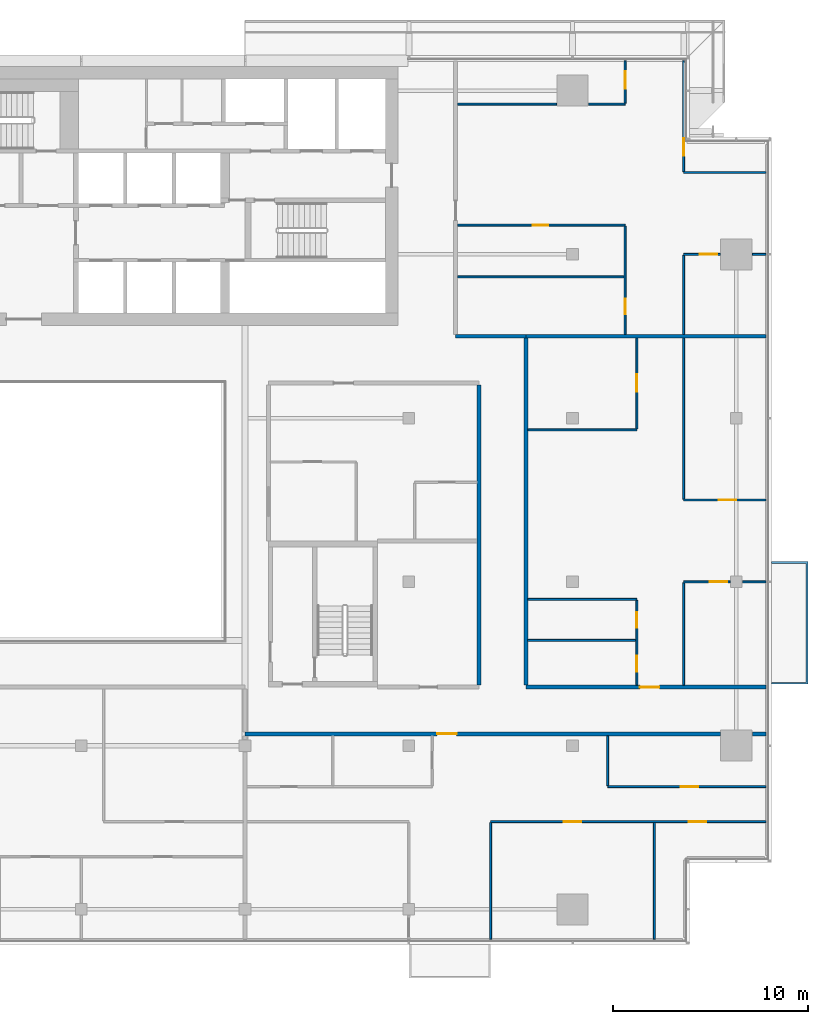
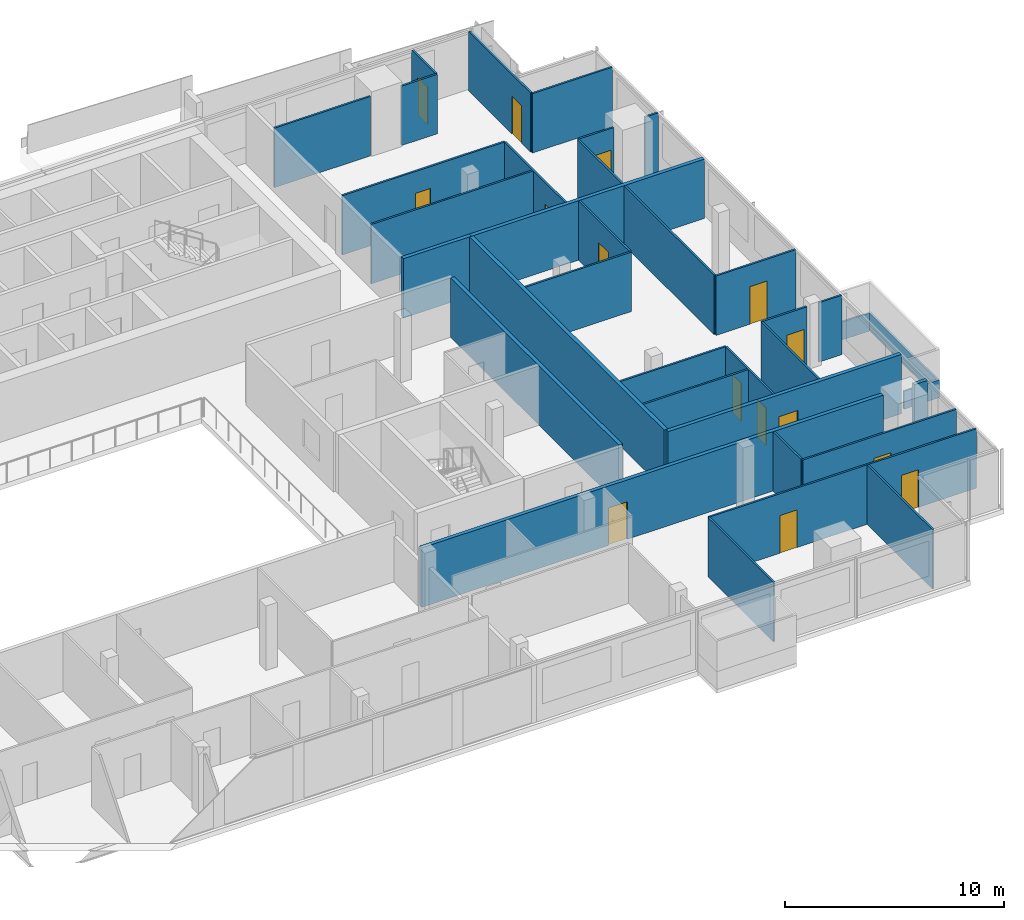
# One storey, part 23 of 29: 34 walls, 15 doors, 15 openings.
"""IFC4 building model written with IfcOpenShell, lengths in metres."""

from ifc_helpers import new_model, si_unit, direction, frame, frame_2d, origin, place, context, subcontext, project, spatial, polyline, rectangle, outline, extrude, material, layer, layer_set, type_object, element, fill, save


model = new_model("IFC4")

# Units and contexts
model_context = context("Model", 3, precision=1e-05, world=origin(), true_north=direction((0.0, 1.0)))
body_context = subcontext(model_context, "Body", "Model", "MODEL_VIEW")
ifc_project = project(units=[si_unit("LENGTHUNIT", "METRE"), si_unit("AREAUNIT", "SQUARE_METRE"), si_unit("VOLUMEUNIT", "CUBIC_METRE"), si_unit("PLANEANGLEUNIT", "RADIAN"), si_unit("MASSUNIT", "GRAM", prefix="KILO")], contexts=[model_context])

# Site, building, storey
site_placement = place(None, origin())
site = spatial("IfcSite", under=ifc_project, at=site_placement, CompositionType="ELEMENT")
building_placement = place(site_placement, origin())
building = spatial("IfcBuilding", under=site, at=building_placement, Name="Saffron Gate Tower", CompositionType="ELEMENT")
storey_placement = place(building_placement, frame((0.0, 0.0, 227.10009765625)))
storey = spatial("IfcBuildingStorey", under=building, at=storey_placement, Name="L55", CompositionType="ELEMENT", Elevation=227.10009765625)

# Wall, openings, doors
ifc_material_1 = material(Name="Plasterboard on steel studs", Category="steel")
ifc_layer_1 = layer(ifc_material_1, 0.10009765625)
ifc_layer_set_1 = layer_set([ifc_layer_1], Name="PW1 Partition 100")
wall_type_1 = type_object("IfcWallType", Name="PW1 Partition 100", PredefinedType="PARTITIONING", material=ifc_layer_set_1)
wall_1_placement = place(storey_placement, frame((126.919921875, 36.300048828125, 0.0), z_axis=(0.0, 0.0, 1.0), x_axis=(-1.0, 0.0, 0.0)))
wall_1 = element("IfcWall", 1, at=wall_1_placement, inside=storey, type_object=wall_type_1, Name="Partition D3-5", PredefinedType="PARTITIONING", context=body_context, shape_type="SweptSolid", body=[
    extrude(rectangle(XDim=14.119873046875, YDim=0.10009765625, at=frame_2d((7.06005859375, 0.0))), origin(), (0.0, 0.0, 1.0), 3.31982421875),
])
opening_1_placement = place(wall_1_placement, frame((3.0576171875, 0.0, 0.0)))
opening_1 = element("IfcOpeningElement", 2, at=opening_1_placement, cuts=wall_1, Name="Opening D3-23", PredefinedType="OPENING", context=body_context, shape_type="SweptSolid", body=[
    extrude(rectangle(XDim=0.89990234375, YDim=2.10009765625, at=frame_2d((0.449951171875, 1.050048828125))), frame((0.0, 0.06005859375, 0.0), z_axis=(0.0, -1.0, 0.0), x_axis=(1.0, 0.0, 0.0)), (0.0, 0.0, 1.0), 0.1201171875),
])
opening_2_placement = place(wall_1_placement, frame((9.469970703125, 0.0, 0.0)))
opening_2 = element("IfcOpeningElement", 3, at=opening_2_placement, cuts=wall_1, Name="Opening D3-22", PredefinedType="OPENING", context=body_context, shape_type="SweptSolid", body=[
    extrude(rectangle(XDim=0.89990234375, YDim=2.10009765625, at=frame_2d((0.449951171875, 1.050048828125))), frame((0.0, 0.06005859375, 0.0), z_axis=(0.0, -1.0, 0.0), x_axis=(1.0, 0.0, 0.0)), (0.0, 0.0, 1.0), 0.1201171875),
])
ifc_material_2 = material(Name="Timber door set", Category="wood")
door_type_1 = type_object("IfcDoorType", Name="RD1 Room door 900x2100", OperationType="NOTDEFINED", PredefinedType="DOOR", material=ifc_material_2)
door_1_placement = place(opening_1_placement, origin())
door_1 = element("IfcDoor", 4, at=door_1_placement, inside=storey, type_object=door_type_1, Name="Door D3-23", OperationType="SINGLE_SWING_RIGHT", OverallHeight=2.10009765625, OverallWidth=0.89990234375, PredefinedType="DOOR", context=body_context, shape_type="SweptSolid", body=[
    extrude(rectangle(XDim=0.89990234375, YDim=2.10009765625, at=frame_2d((0.449951171875, 1.050048828125))), frame((0.0, 0.02490234375, 0.0), z_axis=(0.0, -1.0, 0.0), x_axis=(1.0, 0.0, 0.0)), (0.0, 0.0, 1.0), 0.050048828125),
])
fill(opening_1, door_1)
door_2_placement = place(opening_2_placement, origin())
door_2 = element("IfcDoor", 5, at=door_2_placement, inside=storey, type_object=door_type_1, Name="Door D3-22", OperationType="SINGLE_SWING_RIGHT", OverallHeight=2.10009765625, OverallWidth=0.89990234375, PredefinedType="DOOR", context=body_context, shape_type="SweptSolid", body=[
    extrude(rectangle(XDim=0.89990234375, YDim=2.10009765625, at=frame_2d((0.449951171875, 1.050048828125))), frame((0.0, 0.02490234375, 0.0), z_axis=(0.0, -1.0, 0.0), x_axis=(1.0, 0.0, 0.0)), (0.0, 0.0, 1.0), 0.050048828125),
])
fill(opening_2, door_2)

# Wall, opening, door
wall_2_placement = place(storey_placement, frame((118.800048828125, 38.10009765625, 0.0), z_axis=(0.0, 0.0, 1.0), x_axis=(1.0, 0.0, 0.0)))
wall_2 = element("IfcWall", 6, at=wall_2_placement, inside=storey, type_object=wall_type_1, Name="Partition D3-7", PredefinedType="PARTITIONING", context=body_context, shape_type="SweptSolid", body=[
    extrude(rectangle(XDim=8.119873046875, YDim=0.10009765625, at=frame_2d((4.06005859375, 0.0))), origin(), (0.0, 0.0, 1.0), 3.31982421875),
])
opening_3_placement = place(wall_2_placement, frame((3.75, 0.0, 0.0)))
opening_3 = element("IfcOpeningElement", 7, at=opening_3_placement, cuts=wall_2, Name="Opening D3-24", PredefinedType="OPENING", context=body_context, shape_type="SweptSolid", body=[
    extrude(rectangle(XDim=0.89990234375, YDim=2.10009765625, at=frame_2d((0.449951171875, 1.050048828125))), frame((0.0, 0.06005859375, 0.0), z_axis=(0.0, -1.0, 0.0), x_axis=(1.0, 0.0, 0.0)), (0.0, 0.0, 1.0), 0.1201171875),
])
door_3_placement = place(opening_3_placement, origin())
door_3 = element("IfcDoor", 8, at=door_3_placement, inside=storey, type_object=door_type_1, Name="Door D3-24", OperationType="SINGLE_SWING_RIGHT", OverallHeight=2.10009765625, OverallWidth=0.89990234375, PredefinedType="DOOR", context=body_context, shape_type="SweptSolid", body=[
    extrude(rectangle(XDim=0.89990234375, YDim=2.10009765625, at=frame_2d((0.449951171875, 1.050048828125))), frame((0.0, 0.02490234375, 0.0), z_axis=(0.0, -1.0, 0.0), x_axis=(1.0, 0.0, 0.0)), (0.0, 0.0, 1.0), 0.050048828125),
])
fill(opening_3, door_3)

# Walls
wall_3_placement = place(storey_placement, frame((114.699951171875, 45.60009765625, 0.0), z_axis=(0.0, 0.0, 1.0), x_axis=(1.0, 0.0, 0.0)))
element("IfcWall", 9, at=wall_3_placement, inside=storey, type_object=wall_type_1, Name="Partition D3-17", PredefinedType="PARTITIONING", context=body_context, shape_type="SweptSolid", body=[
    extrude(rectangle(XDim=5.550048828125, YDim=0.10009765625, at=frame_2d((2.77490234375, 0.0))), origin(), (0.0, 0.0, 1.0), 3.31982421875),
])
wall_4_placement = place(storey_placement, frame((114.699951171875, 47.699951171875, 0.0), z_axis=(0.0, 0.0, 1.0), x_axis=(1.0, 0.0, 0.0)))
element("IfcWall", 10, at=wall_4_placement, inside=storey, type_object=wall_type_1, Name="Partition D3-18", PredefinedType="PARTITIONING", context=body_context, shape_type="SweptSolid", body=[
    extrude(rectangle(XDim=5.60009765625, YDim=0.10009765625, at=frame_2d((2.800048828125, 0.0))), origin(), (0.0, 0.0, 1.0), 3.31982421875),
])

# Wall, opening, door
wall_5_placement = place(storey_placement, frame((125.080078125, 48.60009765625, 0.0), z_axis=(0.0, 0.0, 1.0), x_axis=(-1.0, 0.0, 0.0)))
wall_5 = element("IfcWall", 11, at=wall_5_placement, inside=storey, type_object=wall_type_1, Name="Partition D3-21", PredefinedType="PARTITIONING", context=body_context, shape_type="SweptSolid", body=[
    extrude(rectangle(XDim=2.380126953125, YDim=0.10009765625, at=frame_2d((1.18994140625, 0.0))), origin(), (0.0, 0.0, 1.0), 3.31982421875),
])
opening_4_placement = place(wall_5_placement, frame((0.14990234375, 0.0, 0.0)))
opening_4 = element("IfcOpeningElement", 12, at=opening_4_placement, cuts=wall_5, Name="Opening D3-31", PredefinedType="OPENING", context=body_context, shape_type="SweptSolid", body=[
    extrude(rectangle(XDim=0.89990234375, YDim=2.10009765625, at=frame_2d((0.449951171875, 1.050048828125))), frame((0.0, 0.06005859375, 0.0), z_axis=(0.0, -1.0, 0.0), x_axis=(1.0, 0.0, 0.0)), (0.0, 0.0, 1.0), 0.1201171875),
])
door_4_placement = place(opening_4_placement, origin())
door_4 = element("IfcDoor", 13, at=door_4_placement, inside=storey, type_object=door_type_1, Name="Door D3-31", OperationType="SINGLE_SWING_LEFT", OverallHeight=2.10009765625, OverallWidth=0.89990234375, PredefinedType="DOOR", context=body_context, shape_type="SweptSolid", body=[
    extrude(rectangle(XDim=0.89990234375, YDim=2.10009765625, at=frame_2d((0.449951171875, 1.050048828125))), frame((0.0, 0.02490234375, 0.0), z_axis=(0.0, -1.0, 0.0), x_axis=(1.0, 0.0, 0.0)), (0.0, 0.0, 1.0), 0.050048828125),
])
fill(opening_4, door_4)

# Wall
wall_6_placement = place(storey_placement, frame((125.719970703125, 48.60009765625, 0.0), z_axis=(0.0, 0.0, 1.0), x_axis=(1.0, 0.0, 0.0)))
element("IfcWall", 14, at=wall_6_placement, inside=storey, type_object=wall_type_1, Name="Partition D3-22", PredefinedType="PARTITIONING", context=body_context, shape_type="SweptSolid", body=[
    extrude(rectangle(XDim=1.199951171875, YDim=0.10009765625, at=frame_2d((0.60009765625, 0.0))), origin(), (0.0, 0.0, 1.0), 3.31982421875),
])

# Wall, opening, door
wall_7_placement = place(storey_placement, frame((122.699951171875, 52.800048828125, 0.0), z_axis=(0.0, 0.0, 1.0), x_axis=(1.0, 0.0, 0.0)))
wall_7 = element("IfcWall", 15, at=wall_7_placement, inside=storey, type_object=wall_type_1, Name="Partition D3-28", PredefinedType="PARTITIONING", context=body_context, shape_type="SweptSolid", body=[
    extrude(rectangle(XDim=4.219970703125, YDim=0.10009765625, at=frame_2d((2.10986328125, 0.0))), origin(), (0.0, 0.0, 1.0), 3.31982421875),
])
opening_5_placement = place(wall_7_placement, frame((1.800048828125, 0.0, 0.0)))
opening_5 = element("IfcOpeningElement", 16, at=opening_5_placement, cuts=wall_7, Name="Opening D3-32", PredefinedType="OPENING", context=body_context, shape_type="SweptSolid", body=[
    extrude(rectangle(XDim=0.89990234375, YDim=2.10009765625, at=frame_2d((0.449951171875, 1.050048828125))), frame((0.0, 0.06005859375, 0.0), z_axis=(0.0, -1.0, 0.0), x_axis=(1.0, 0.0, 0.0)), (0.0, 0.0, 1.0), 0.1201171875),
])
door_5_placement = place(opening_5_placement, origin())
door_5 = element("IfcDoor", 17, at=door_5_placement, inside=storey, type_object=door_type_1, Name="Door D3-32", OperationType="SINGLE_SWING_RIGHT", OverallHeight=2.10009765625, OverallWidth=0.89990234375, PredefinedType="DOOR", context=body_context, shape_type="SweptSolid", body=[
    extrude(rectangle(XDim=0.89990234375, YDim=2.10009765625, at=frame_2d((0.449951171875, 1.050048828125))), frame((0.0, 0.02490234375, 0.0), z_axis=(0.0, -1.0, 0.0), x_axis=(1.0, 0.0, 0.0)), (0.0, 0.0, 1.0), 0.050048828125),
])
fill(opening_5, door_5)

# Walls
wall_8_placement = place(storey_placement, frame((114.699951171875, 56.39306640625, 0.0), z_axis=(0.0, 0.0, 1.0), x_axis=(1.0, 0.0, 0.0)))
element("IfcWall", 18, at=wall_8_placement, inside=storey, type_object=wall_type_1, Name="Partition D3-34", PredefinedType="PARTITIONING", context=body_context, shape_type="SweptSolid", body=[
    extrude(rectangle(XDim=5.60009765625, YDim=0.10009765625, at=frame_2d((2.800048828125, 0.0))), origin(), (0.0, 0.0, 1.0), 3.31982421875),
])
wall_9_placement = place(storey_placement, frame((111.10009765625, 64.24609375, 0.0), z_axis=(0.0, 0.0, 1.0), x_axis=(1.0, 0.0, 0.0)))
element("IfcWall", 19, at=wall_9_placement, inside=storey, type_object=wall_type_1, Name="Partition D3-42", PredefinedType="PARTITIONING", context=body_context, shape_type="SweptSolid", body=[
    extrude(rectangle(XDim=8.5498046875, YDim=0.10009765625, at=frame_2d((4.27490234375, 0.0))), origin(), (0.0, 0.0, 1.0), 3.31982421875),
])

# Wall, opening, door
wall_10_placement = place(storey_placement, frame((124.580078125, 65.39990234375, 0.0), z_axis=(0.0, 0.0, 1.0), x_axis=(-1.0, 0.0, 0.0)))
wall_10 = element("IfcWall", 20, at=wall_10_placement, inside=storey, type_object=wall_type_1, Name="Partition D3-43", PredefinedType="PARTITIONING", context=body_context, shape_type="SweptSolid", body=[
    extrude(rectangle(XDim=1.880126953125, YDim=0.10009765625, at=frame_2d((0.93994140625, 0.0))), origin(), (0.0, 0.0, 1.0), 3.31982421875),
])
opening_6_placement = place(wall_10_placement, frame((0.14990234375, 0.0, 0.0)))
opening_6 = element("IfcOpeningElement", 21, at=opening_6_placement, cuts=wall_10, Name="Opening D3-34", PredefinedType="OPENING", context=body_context, shape_type="SweptSolid", body=[
    extrude(rectangle(XDim=0.89990234375, YDim=2.10009765625, at=frame_2d((0.449951171875, 1.050048828125))), frame((0.0, 0.06005859375, 0.0), z_axis=(0.0, -1.0, 0.0), x_axis=(1.0, 0.0, 0.0)), (0.0, 0.0, 1.0), 0.1201171875),
])
door_6_placement = place(opening_6_placement, origin())
door_6 = element("IfcDoor", 22, at=door_6_placement, inside=storey, type_object=door_type_1, Name="Door D3-34", OperationType="SINGLE_SWING_LEFT", OverallHeight=2.10009765625, OverallWidth=0.89990234375, PredefinedType="DOOR", context=body_context, shape_type="SweptSolid", body=[
    extrude(rectangle(XDim=0.89990234375, YDim=2.10009765625, at=frame_2d((0.449951171875, 1.050048828125))), frame((0.0, 0.02490234375, 0.0), z_axis=(0.0, -1.0, 0.0), x_axis=(1.0, 0.0, 0.0)), (0.0, 0.0, 1.0), 0.050048828125),
])
fill(opening_6, door_6)

# Wall
wall_11_placement = place(storey_placement, frame((126.219970703125, 65.39990234375, 0.0), z_axis=(0.0, 0.0, 1.0), x_axis=(1.0, 0.0, 0.0)))
element("IfcWall", 23, at=wall_11_placement, inside=storey, type_object=wall_type_1, Name="Partition D3-44", PredefinedType="PARTITIONING", context=body_context, shape_type="SweptSolid", body=[
    extrude(rectangle(XDim=0.699951171875, YDim=0.10009765625, at=frame_2d((0.35009765625, 0.0))), origin(), (0.0, 0.0, 1.0), 3.31982421875),
])

# Wall, opening, door
wall_12_placement = place(storey_placement, frame((119.699951171875, 66.89990234375, 0.0), z_axis=(0.0, 0.0, 1.0), x_axis=(-1.0, 0.0, 0.0)))
wall_12 = element("IfcWall", 24, at=wall_12_placement, inside=storey, type_object=wall_type_1, Name="Partition D3-46", PredefinedType="PARTITIONING", context=body_context, shape_type="SweptSolid", body=[
    extrude(rectangle(XDim=8.599853515625, YDim=0.10009765625, at=frame_2d((4.2998046875, 0.0))), origin(), (0.0, 0.0, 1.0), 3.31982421875),
])
opening_7_placement = place(wall_12_placement, frame((3.949951171875, 0.0, 0.0)))
opening_7 = element("IfcOpeningElement", 25, at=opening_7_placement, cuts=wall_12, Name="Opening D3-51", PredefinedType="OPENING", context=body_context, shape_type="SweptSolid", body=[
    extrude(rectangle(XDim=0.800048828125, YDim=2.10009765625, at=frame_2d((0.39990234375, 1.050048828125))), frame((0.0, 0.06005859375, 0.0), z_axis=(0.0, -1.0, 0.0), x_axis=(1.0, 0.0, 0.0)), (0.0, 0.0, 1.0), 0.1201171875),
])
door_type_2 = type_object("IfcDoorType", Name="RD2 Bathroom door 800x2100", OperationType="NOTDEFINED", PredefinedType="DOOR", material=ifc_material_2)
door_7_placement = place(opening_7_placement, origin())
door_7 = element("IfcDoor", 26, at=door_7_placement, inside=storey, type_object=door_type_2, Name="Door D3-51", OperationType="SINGLE_SWING_RIGHT", OverallHeight=2.10009765625, OverallWidth=0.800048828125, PredefinedType="DOOR", context=body_context, shape_type="SweptSolid", body=[
    extrude(rectangle(XDim=0.800048828125, YDim=2.10009765625, at=frame_2d((0.39990234375, 1.050048828125))), frame((0.0, 0.02490234375, 0.0), z_axis=(0.0, -1.0, 0.0), x_axis=(1.0, 0.0, 0.0)), (0.0, 0.0, 1.0), 0.050048828125),
])
fill(opening_7, door_7)

# Walls
wall_13_placement = place(storey_placement, frame((122.699951171875, 69.60009765625, 0.0), z_axis=(0.0, 0.0, 1.0), x_axis=(1.0, 0.0, 0.0)))
element("IfcWall", 27, at=wall_13_placement, inside=storey, type_object=wall_type_1, Name="Partition D3-49", PredefinedType="PARTITIONING", context=body_context, shape_type="SweptSolid", body=[
    extrude(rectangle(XDim=4.219970703125, YDim=0.10009765625, at=frame_2d((2.10986328125, 0.0))), origin(), (0.0, 0.0, 1.0), 3.31982421875),
])
wall_14_placement = place(storey_placement, frame((111.10009765625, 73.112548828125, 0.0), z_axis=(0.0, 0.0, 1.0), x_axis=(1.0, 0.0, 0.0)))
element("IfcWall", 28, at=wall_14_placement, inside=storey, type_object=wall_type_1, Name="Partition D3-53", PredefinedType="PARTITIONING", context=body_context, shape_type="SweptSolid", body=[
    extrude(rectangle(XDim=5.079833984375, YDim=0.10009765625, at=frame_2d((2.5400390625, 0.0))), origin(), (0.0, 0.0, 1.0), 3.31982421875),
])
wall_15_placement = place(storey_placement, frame((117.820068359375, 73.112548828125, 0.0), z_axis=(0.0, 0.0, 1.0), x_axis=(1.0, 0.0, 0.0)))
element("IfcWall", 29, at=wall_15_placement, inside=storey, type_object=wall_type_1, Name="Partition D3-54", PredefinedType="PARTITIONING", context=body_context, shape_type="SweptSolid", body=[
    extrude(rectangle(XDim=1.8798828125, YDim=0.10009765625, at=frame_2d((0.93994140625, 0.0))), origin(), (0.0, 0.0, 1.0), 3.31982421875),
])
wall_16_placement = place(storey_placement, frame((112.800048828125, 36.25, 0.0), z_axis=(0.0, 0.0, 1.0), x_axis=(0.0, -1.0, 0.0)))
element("IfcWall", 30, at=wall_16_placement, inside=storey, type_object=wall_type_1, Name="Partition D3-104", PredefinedType="PARTITIONING", context=body_context, shape_type="SweptSolid", body=[
    extrude(rectangle(XDim=5.969970703125, YDim=0.10009765625, at=frame_2d((2.98486328125, 0.0))), origin(), (0.0, 0.0, 1.0), 3.31982421875),
])
wall_17_placement = place(storey_placement, frame((118.800048828125, 40.699951171875, 0.0), z_axis=(0.0, 0.0, 1.0), x_axis=(0.0, -1.0, 0.0)))
element("IfcWall", 31, at=wall_17_placement, inside=storey, type_object=wall_type_1, Name="Partition D3-106", PredefinedType="PARTITIONING", context=body_context, shape_type="SweptSolid", body=[
    extrude(rectangle(XDim=2.550048828125, YDim=0.10009765625, at=frame_2d((1.27490234375, 0.0))), origin(), (0.0, 0.0, 1.0), 3.31982421875),
])

# Wall, opening, door
wall_18_placement = place(storey_placement, frame((119.699951171875, 61.300048828125, 0.0), z_axis=(0.0, 0.0, 1.0), x_axis=(0.0, 1.0, 0.0)))
wall_18 = element("IfcWall", 32, at=wall_18_placement, inside=storey, type_object=wall_type_1, Name="Partition D3-107", PredefinedType="PARTITIONING", context=body_context, shape_type="SweptSolid", body=[
    extrude(rectangle(XDim=5.550048828125, YDim=0.10009765625, at=frame_2d((2.77490234375, 0.0))), origin(), (0.0, 0.0, 1.0), 3.31982421875),
])
opening_8_placement = place(wall_18_placement, frame((1.02294921875, 0.0, 0.0)))
opening_8 = element("IfcOpeningElement", 33, at=opening_8_placement, cuts=wall_18, Name="Opening D3-50", PredefinedType="OPENING", context=body_context, shape_type="SweptSolid", body=[
    extrude(rectangle(XDim=0.800048828125, YDim=2.10009765625, at=frame_2d((0.39990234375, 1.050048828125))), frame((0.0, 0.06005859375, 0.0), z_axis=(0.0, -1.0, 0.0), x_axis=(1.0, 0.0, 0.0)), (0.0, 0.0, 1.0), 0.1201171875),
])
door_8_placement = place(opening_8_placement, origin())
door_8 = element("IfcDoor", 34, at=door_8_placement, inside=storey, type_object=door_type_2, Name="Door D3-50", OperationType="SINGLE_SWING_LEFT", OverallHeight=2.10009765625, OverallWidth=0.800048828125, PredefinedType="DOOR", context=body_context, shape_type="SweptSolid", body=[
    extrude(rectangle(XDim=0.800048828125, YDim=2.10009765625, at=frame_2d((0.39990234375, 1.050048828125))), frame((0.0, 0.02490234375, 0.0), z_axis=(0.0, -1.0, 0.0), x_axis=(1.0, 0.0, 0.0)), (0.0, 0.0, 1.0), 0.050048828125),
])
fill(opening_8, door_8)

wall_19_placement = place(storey_placement, frame((119.699951171875, 73.16259765625, 0.0), z_axis=(0.0, 0.0, 1.0), x_axis=(0.0, 1.0, 0.0)))
wall_19 = element("IfcWall", 35, at=wall_19_placement, inside=storey, type_object=wall_type_1, Name="Partition D3-108", PredefinedType="PARTITIONING", context=body_context, shape_type="SweptSolid", body=[
    extrude(rectangle(XDim=2.157470703125, YDim=0.10009765625, at=frame_2d((1.07861328125, 0.0))), origin(), (0.0, 0.0, 1.0), 3.31982421875),
])
opening_9_placement = place(wall_19_placement, frame((0.74365234375, 0.0, 0.0)))
opening_9 = element("IfcOpeningElement", 36, at=opening_9_placement, cuts=wall_19, Name="Opening D3-36", PredefinedType="OPENING", context=body_context, shape_type="SweptSolid", body=[
    extrude(rectangle(XDim=0.89990234375, YDim=2.10009765625, at=frame_2d((0.449951171875, 1.050048828125))), frame((0.0, 0.06005859375, 0.0), z_axis=(0.0, -1.0, 0.0), x_axis=(1.0, 0.0, 0.0)), (0.0, 0.0, 1.0), 0.1201171875),
])
door_9_placement = place(opening_9_placement, origin())
door_9 = element("IfcDoor", 37, at=door_9_placement, inside=storey, type_object=door_type_1, Name="Door D3-36", OperationType="SINGLE_SWING_RIGHT", OverallHeight=2.10009765625, OverallWidth=0.89990234375, PredefinedType="DOOR", context=body_context, shape_type="SweptSolid", body=[
    extrude(rectangle(XDim=0.89990234375, YDim=2.10009765625, at=frame_2d((0.449951171875, 1.050048828125))), frame((0.0, 0.02490234375, 0.0), z_axis=(0.0, -1.0, 0.0), x_axis=(1.0, 0.0, 0.0)), (0.0, 0.0, 1.0), 0.050048828125),
])
fill(opening_9, door_9)

# Wall, openings, doors
wall_20_placement = place(storey_placement, frame((120.300048828125, 43.300048828125, 0.0), z_axis=(0.0, 0.0, 1.0), x_axis=(0.0, 1.0, 0.0)))
wall_20 = element("IfcWall", 38, at=wall_20_placement, inside=storey, type_object=wall_type_1, Name="Partition D3-109", PredefinedType="PARTITIONING", context=body_context, shape_type="SweptSolid", body=[
    extrude(rectangle(XDim=4.349853515625, YDim=0.10009765625, at=frame_2d((2.1748046875, 0.0))), origin(), (0.0, 0.0, 1.0), 3.31982421875),
])
opening_10_placement = place(wall_20_placement, frame((0.699951171875, 0.0, 0.0)))
opening_10 = element("IfcOpeningElement", 39, at=opening_10_placement, cuts=wall_20, Name="Opening D3-48", PredefinedType="OPENING", context=body_context, shape_type="SweptSolid", body=[
    extrude(rectangle(XDim=0.800048828125, YDim=2.10009765625, at=frame_2d((0.39990234375, 1.050048828125))), frame((0.0, 0.06005859375, 0.0), z_axis=(0.0, -1.0, 0.0), x_axis=(1.0, 0.0, 0.0)), (0.0, 0.0, 1.0), 0.1201171875),
])
opening_11_placement = place(wall_20_placement, frame((2.949951171875, 0.0, 0.0)))
opening_11 = element("IfcOpeningElement", 40, at=opening_11_placement, cuts=wall_20, Name="Opening D3-49", PredefinedType="OPENING", context=body_context, shape_type="SweptSolid", body=[
    extrude(rectangle(XDim=0.800048828125, YDim=2.10009765625, at=frame_2d((0.39990234375, 1.050048828125))), frame((0.0, 0.06005859375, 0.0), z_axis=(0.0, -1.0, 0.0), x_axis=(1.0, 0.0, 0.0)), (0.0, 0.0, 1.0), 0.1201171875),
])
door_10_placement = place(opening_10_placement, origin())
door_10 = element("IfcDoor", 41, at=door_10_placement, inside=storey, type_object=door_type_2, Name="Door D3-48", OperationType="SINGLE_SWING_LEFT", OverallHeight=2.10009765625, OverallWidth=0.800048828125, PredefinedType="DOOR", context=body_context, shape_type="SweptSolid", body=[
    extrude(rectangle(XDim=0.800048828125, YDim=2.10009765625, at=frame_2d((0.39990234375, 1.050048828125))), frame((0.0, 0.02490234375, 0.0), z_axis=(0.0, -1.0, 0.0), x_axis=(1.0, 0.0, 0.0)), (0.0, 0.0, 1.0), 0.050048828125),
])
fill(opening_10, door_10)
door_11_placement = place(opening_11_placement, origin())
door_11 = element("IfcDoor", 42, at=door_11_placement, inside=storey, type_object=door_type_2, Name="Door D3-49", OperationType="SINGLE_SWING_RIGHT", OverallHeight=2.10009765625, OverallWidth=0.800048828125, PredefinedType="DOOR", context=body_context, shape_type="SweptSolid", body=[
    extrude(rectangle(XDim=0.800048828125, YDim=2.10009765625, at=frame_2d((0.39990234375, 1.050048828125))), frame((0.0, 0.02490234375, 0.0), z_axis=(0.0, -1.0, 0.0), x_axis=(1.0, 0.0, 0.0)), (0.0, 0.0, 1.0), 0.050048828125),
])
fill(opening_11, door_11)

# Wall, opening, door
wall_21_placement = place(storey_placement, frame((120.300048828125, 56.443115234375, 0.0), z_axis=(0.0, 0.0, 1.0), x_axis=(0.0, 1.0, 0.0)))
wall_21 = element("IfcWall", 43, at=wall_21_placement, inside=storey, type_object=wall_type_1, Name="Partition D3-110", PredefinedType="PARTITIONING", context=body_context, shape_type="SweptSolid", body=[
    extrude(rectangle(XDim=4.656982421875, YDim=0.10009765625, at=frame_2d((2.32861328125, 0.0))), origin(), (0.0, 0.0, 1.0), 3.31982421875),
])
opening_12_placement = place(wall_21_placement, frame((1.903564453125, 0.0, 0.0)))
opening_12 = element("IfcOpeningElement", 44, at=opening_12_placement, cuts=wall_21, Name="Opening D3-33", PredefinedType="OPENING", context=body_context, shape_type="SweptSolid", body=[
    extrude(rectangle(XDim=0.89990234375, YDim=2.10009765625, at=frame_2d((0.449951171875, 1.050048828125))), frame((0.0, 0.06005859375, 0.0), z_axis=(0.0, -1.0, 0.0), x_axis=(1.0, 0.0, 0.0)), (0.0, 0.0, 1.0), 0.1201171875),
])
door_12_placement = place(opening_12_placement, origin())
door_12 = element("IfcDoor", 45, at=door_12_placement, inside=storey, type_object=door_type_1, Name="Door D3-33", OperationType="SINGLE_SWING_RIGHT", OverallHeight=2.10009765625, OverallWidth=0.89990234375, PredefinedType="DOOR", context=body_context, shape_type="SweptSolid", body=[
    extrude(rectangle(XDim=0.89990234375, YDim=2.10009765625, at=frame_2d((0.449951171875, 1.050048828125))), frame((0.0, 0.02490234375, 0.0), z_axis=(0.0, -1.0, 0.0), x_axis=(1.0, 0.0, 0.0)), (0.0, 0.0, 1.0), 0.050048828125),
])
fill(opening_12, door_12)

# Walls
wall_22_placement = place(storey_placement, frame((121.199951171875, 36.25, 0.0), z_axis=(0.0, 0.0, 1.0), x_axis=(0.0, -1.0, 0.0)))
element("IfcWall", 46, at=wall_22_placement, inside=storey, type_object=wall_type_1, Name="Partition D3-111", PredefinedType="PARTITIONING", context=body_context, shape_type="SweptSolid", body=[
    extrude(rectangle(XDim=5.969970703125, YDim=0.10009765625, at=frame_2d((2.98486328125, 0.0))), origin(), (0.0, 0.0, 1.0), 3.31982421875),
])
wall_23_placement = place(storey_placement, frame((122.699951171875, 48.550048828125, 0.0), z_axis=(0.0, 0.0, 1.0), x_axis=(0.0, -1.0, 0.0)))
element("IfcWall", 47, at=wall_23_placement, inside=storey, type_object=wall_type_1, Name="Partition D3-112", PredefinedType="PARTITIONING", context=body_context, shape_type="SweptSolid", body=[
    extrude(rectangle(XDim=5.25, YDim=0.10009765625, at=frame_2d((2.625, 0.0))), origin(), (0.0, 0.0, 1.0), 3.31982421875),
])

# Wall, opening, door
wall_24_placement = place(storey_placement, frame((122.699951171875, 75.320068359375, 0.0), z_axis=(0.0, 0.0, 1.0), x_axis=(0.0, -1.0, 0.0)))
wall_24 = element("IfcWall", 48, at=wall_24_placement, inside=storey, type_object=wall_type_1, Name="Partition D3-113", PredefinedType="PARTITIONING", context=body_context, shape_type="SweptSolid", body=[
    extrude(rectangle(XDim=5.670166015625, YDim=0.10009765625, at=frame_2d((2.8349609375, 0.0))), origin(), (0.0, 0.0, 1.0), 3.31982421875),
])
opening_13_placement = place(wall_24_placement, frame((3.96630859375, 0.0, 0.0)))
opening_13 = element("IfcOpeningElement", 49, at=opening_13_placement, cuts=wall_24, Name="Opening D3-35", PredefinedType="OPENING", context=body_context, shape_type="SweptSolid", body=[
    extrude(rectangle(XDim=0.89990234375, YDim=2.10009765625, at=frame_2d((0.449951171875, 1.050048828125))), frame((0.0, 0.06005859375, 0.0), z_axis=(0.0, -1.0, 0.0), x_axis=(1.0, 0.0, 0.0)), (0.0, 0.0, 1.0), 0.1201171875),
])
door_13_placement = place(opening_13_placement, origin())
door_13 = element("IfcDoor", 50, at=door_13_placement, inside=storey, type_object=door_type_1, Name="Door D3-35", OperationType="SINGLE_SWING_RIGHT", OverallHeight=2.10009765625, OverallWidth=0.89990234375, PredefinedType="DOOR", context=body_context, shape_type="SweptSolid", body=[
    extrude(rectangle(XDim=0.89990234375, YDim=2.10009765625, at=frame_2d((0.449951171875, 1.050048828125))), frame((0.0, 0.02490234375, 0.0), z_axis=(0.0, -1.0, 0.0), x_axis=(1.0, 0.0, 0.0)), (0.0, 0.0, 1.0), 0.050048828125),
])
fill(opening_13, door_13)

# Walls
wall_25_placement = place(storey_placement, frame((122.699951171875, 61.10009765625, 0.0), z_axis=(0.0, 0.0, 1.0), x_axis=(0.0, -1.0, 0.0)))
element("IfcWall", 51, at=wall_25_placement, inside=storey, type_object=wall_type_1, Name="Partition D3-118", PredefinedType="PARTITIONING", context=body_context, shape_type="SweptSolid", body=[
    extrude(rectangle(XDim=8.25, YDim=0.10009765625, at=frame_2d((4.125, 0.0))), origin(), (0.0, 0.0, 1.0), 3.31982421875),
])
wall_26_placement = place(storey_placement, frame((122.699951171875, 65.35009765625, 0.0), z_axis=(0.0, 0.0, 1.0), x_axis=(0.0, -1.0, 0.0)))
element("IfcWall", 52, at=wall_26_placement, inside=storey, type_object=wall_type_1, Name="Partition D3-119", PredefinedType="PARTITIONING", context=body_context, shape_type="SweptSolid", body=[
    extrude(rectangle(XDim=4.050048828125, YDim=0.10009765625, at=frame_2d((2.02490234375, 0.0))), origin(), (0.0, 0.0, 1.0), 3.31982421875),
])
ifc_material_3 = material(Name="Clay brick masonry, rendered", Category="masonry")
ifc_layer_2 = layer(ifc_material_3, 0.199951171875)
ifc_layer_set_2 = layer_set([ifc_layer_2], Name="PW2 Demising wall 200")
wall_type_2 = type_object("IfcWallType", Name="PW2 Demising wall 200", PredefinedType="PARTITIONING", material=ifc_layer_set_2)
wall_27_placement = place(storey_placement, frame((114.60009765625, 61.199951171875, 0.0), z_axis=(0.0, 0.0, 1.0), x_axis=(1.0, 0.0, 0.0)))
element("IfcWall", 53, at=wall_27_placement, inside=storey, type_object=wall_type_2, Name="Wall D3-41", PredefinedType="PARTITIONING", context=body_context, shape_type="SweptSolid", body=[
    extrude(rectangle(XDim=12.31982421875, YDim=0.199951171875, at=frame_2d((6.159912109375, 0.0))), origin(), (0.0, 0.0, 1.0), 3.31982421875),
])

# Wall, opening, door
ifc_layer_3 = layer(ifc_material_3, 0.199951171875)
ifc_layer_set_3 = layer_set([ifc_layer_3], Name="PW3 Corridor wall 200")
wall_type_3 = type_object("IfcWallType", Name="PW3 Corridor wall 200", PredefinedType="PARTITIONING", material=ifc_layer_set_3)
wall_28_placement = place(storey_placement, frame((124.580078125, 40.800048828125, 0.0), z_axis=(0.0, 0.0, 1.0), x_axis=(-1.0, 0.0, 0.0)))
wall_28 = element("IfcWall", 54, at=wall_28_placement, inside=storey, type_object=wall_type_3, Name="Wall D3-10", PredefinedType="PARTITIONING", context=body_context, shape_type="SweptSolid", body=[
    extrude(rectangle(XDim=24.380126953125, YDim=0.199951171875, at=frame_2d((12.18994140625, 0.0))), origin(), (0.0, 0.0, 1.0), 3.31982421875),
])
opening_14_placement = place(wall_28_placement, frame((13.530029296875, 0.0, 0.0)))
opening_14 = element("IfcOpeningElement", 55, at=opening_14_placement, cuts=wall_28, Name="Opening D3-3", PredefinedType="OPENING", context=body_context, shape_type="SweptSolid", body=[
    extrude(rectangle(XDim=1.0, YDim=2.10009765625, at=frame_2d((0.5, 1.050048828125))), frame((0.0, 0.10986328125, 0.0), z_axis=(0.0, -1.0, 0.0), x_axis=(1.0, 0.0, 0.0)), (0.0, 0.0, 1.0), 0.219970703125),
])
ifc_material_4 = material(Name="Timber fire door set", Category="wood")
door_type_3 = type_object("IfcDoorType", Name="FD1 Flat entry door 1000x2100", OperationType="NOTDEFINED", PredefinedType="DOOR", material=ifc_material_4)
door_14_placement = place(opening_14_placement, origin())
door_14 = element("IfcDoor", 56, at=door_14_placement, inside=storey, type_object=door_type_3, Name="Door D3-3", OperationType="SINGLE_SWING_RIGHT", OverallHeight=2.10009765625, OverallWidth=1.0, PredefinedType="DOOR", context=body_context, shape_type="SweptSolid", body=[
    extrude(rectangle(XDim=1.0, YDim=2.10009765625, at=frame_2d((0.5, 1.050048828125))), frame((0.0, 0.02490234375, 0.0), z_axis=(0.0, -1.0, 0.0), x_axis=(1.0, 0.0, 0.0)), (0.0, 0.0, 1.0), 0.050048828125),
])
fill(opening_14, door_14)

# Wall
wall_29_placement = place(storey_placement, frame((126.219970703125, 40.800048828125, 0.0), z_axis=(0.0, 0.0, 1.0), x_axis=(1.0, 0.0, 0.0)))
element("IfcWall", 57, at=wall_29_placement, inside=storey, type_object=wall_type_3, Name="Wall D3-11", PredefinedType="PARTITIONING", context=body_context, shape_type="SweptSolid", body=[
    extrude(rectangle(XDim=0.699951171875, YDim=0.199951171875, at=frame_2d((0.35009765625, 0.0))), origin(), (0.0, 0.0, 1.0), 3.31982421875),
])

# Wall, opening, door
wall_30_placement = place(storey_placement, frame((114.60009765625, 43.199951171875, 0.0), z_axis=(0.0, 0.0, 1.0), x_axis=(1.0, 0.0, 0.0)))
wall_30 = element("IfcWall", 58, at=wall_30_placement, inside=storey, type_object=wall_type_3, Name="Wall D3-16", PredefinedType="PARTITIONING", context=body_context, shape_type="SweptSolid", body=[
    extrude(rectangle(XDim=12.31982421875, YDim=0.199951171875, at=frame_2d((6.159912109375, 0.0))), origin(), (0.0, 0.0, 1.0), 3.31982421875),
])
opening_15_placement = place(wall_30_placement, frame((5.85009765625, 0.0, 0.0)))
opening_15 = element("IfcOpeningElement", 59, at=opening_15_placement, cuts=wall_30, Name="Opening D3-6", PredefinedType="OPENING", context=body_context, shape_type="SweptSolid", body=[
    extrude(rectangle(XDim=1.0, YDim=2.10009765625, at=frame_2d((0.5, 1.050048828125))), frame((0.0, 0.10986328125, 0.0), z_axis=(0.0, -1.0, 0.0), x_axis=(1.0, 0.0, 0.0)), (0.0, 0.0, 1.0), 0.219970703125),
])
door_15_placement = place(opening_15_placement, origin())
door_15 = element("IfcDoor", 60, at=door_15_placement, inside=storey, type_object=door_type_3, Name="Door D3-6", OperationType="SINGLE_SWING_LEFT", OverallHeight=2.10009765625, OverallWidth=1.0, PredefinedType="DOOR", context=body_context, shape_type="SweptSolid", body=[
    extrude(rectangle(XDim=1.0, YDim=2.10009765625, at=frame_2d((0.5, 1.050048828125))), frame((0.0, 0.02490234375, 0.0), z_axis=(0.0, -1.0, 0.0), x_axis=(1.0, 0.0, 0.0)), (0.0, 0.0, 1.0), 0.050048828125),
])
fill(opening_15, door_15)

# Walls
wall_31_placement = place(storey_placement, frame((111.0, 61.199951171875, 0.0), z_axis=(0.0, 0.0, 1.0), x_axis=(1.0, 0.0, 0.0)))
element("IfcWall", 61, at=wall_31_placement, inside=storey, type_object=wall_type_3, Name="Wall D3-39", PredefinedType="PARTITIONING", context=body_context, shape_type="SweptSolid", body=[
    extrude(rectangle(XDim=3.60009765625, YDim=0.199951171875, at=frame_2d((1.800048828125, 0.0))), origin(), (0.0, 0.0, 1.0), 3.31982421875),
])
wall_32_placement = place(storey_placement, frame((112.199951171875, 58.699951171875, 0.0), z_axis=(0.0, 0.0, 1.0), x_axis=(0.0, -1.0, 0.0)))
element("IfcWall", 62, at=wall_32_placement, inside=storey, type_object=wall_type_3, Name="Wall D3-103", PredefinedType="PARTITIONING", context=body_context, shape_type="SweptSolid", body=[
    extrude(rectangle(XDim=15.39990234375, YDim=0.199951171875, at=frame_2d((7.699951171875, 0.0))), origin(), (0.0, 0.0, 1.0), 3.31982421875),
])
wall_33_placement = place(storey_placement, frame((114.60009765625, 61.10009765625, 0.0), z_axis=(0.0, 0.0, 1.0), x_axis=(0.0, -1.0, 0.0)))
element("IfcWall", 63, at=wall_33_placement, inside=storey, type_object=wall_type_3, Name="Wall D3-105", PredefinedType="PARTITIONING", context=body_context, shape_type="SweptSolid", body=[
    extrude(rectangle(XDim=17.800048828125, YDim=0.199951171875, at=frame_2d((8.89990234375, 0.0))), origin(), (0.0, 0.0, 1.0), 3.31982421875),
])
ifc_material_5 = material(Name="Rendered insulated panel, white")
ifc_layer_4 = layer(ifc_material_5, 0.10009765625)
ifc_layer_set_4 = layer_set([ifc_layer_4], Name="WB3 box parapet white")
wall_type_4 = type_object("IfcWallType", Name="WB3 box parapet white", PredefinedType="SOLIDWALL", material=ifc_layer_set_4)
wall_34_placement = place(storey_placement, origin())
element("IfcWall", 64, at=wall_34_placement, inside=storey, type_object=wall_type_4, Name="WINDOW BOX parapet", PredefinedType="SOLIDWALL", context=body_context, shape_type="SweptSolid", body=[
    extrude(outline(polyline([(127.199951171875, 43.35009765625), (127.199951171875, 43.449951171875), (128.967041015625, 43.449951171875), (128.967041015625, 49.550048828125), (127.199951171875, 49.550048828125), (127.199951171875, 49.64990234375), (129.06689453125, 49.64990234375), (129.06689453125, 43.35009765625), (127.199951171875, 43.35009765625)])), origin(), (0.0, 0.0, 1.0), 1.0),
])

save(model, "model.ifc")
